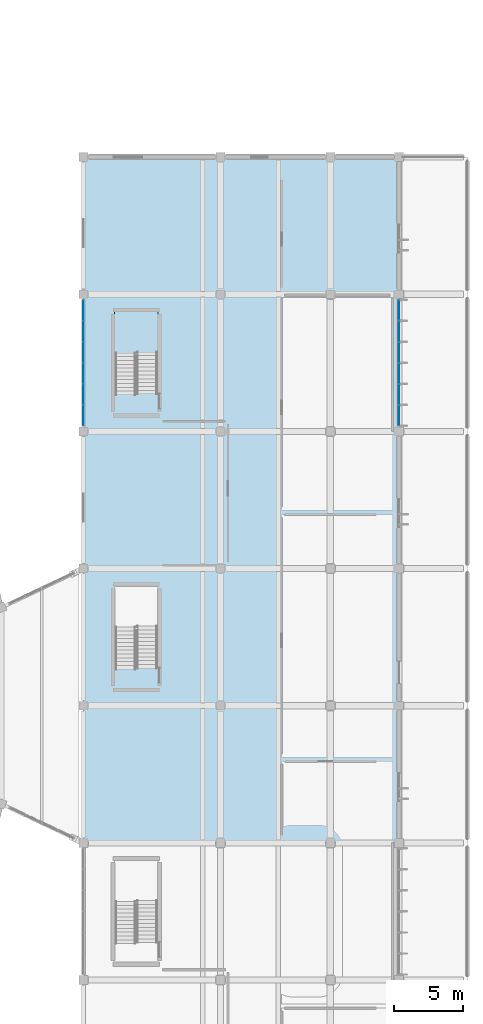
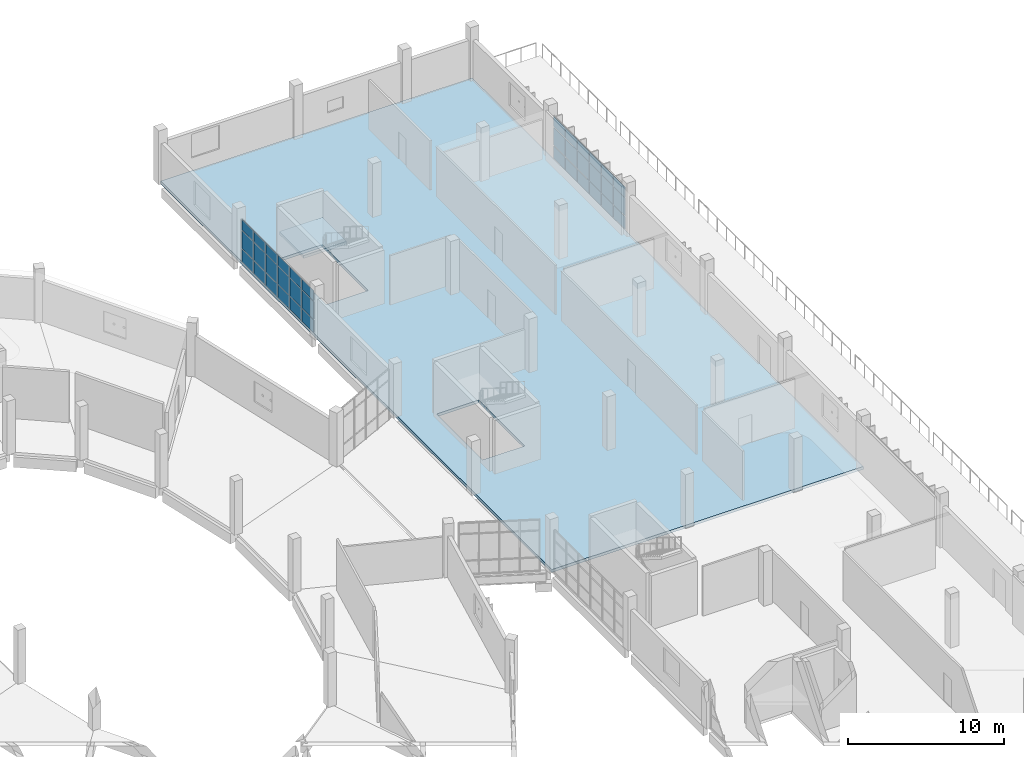
# One storey, part 91 of 142: 36 plates, 2 slabs, 3 elements without a shape of their own.
"""IFC4 building model written with IfcOpenShell, lengths in metres."""

from ifc_helpers import new_model, si_unit, direction, frame, origin, origin_2d, place, context, subcontext, project, spatial, polyline, rectangle, outline, extrude, material, layer, layer_set, type_object, element, aggregate, save


model = new_model("IFC4")

# Units and contexts
model_context = context("Model", 3, precision=1e-05, world=origin(), true_north=direction((0.0, 1.0)))
body_context = subcontext(model_context, "Body", "Model", "MODEL_VIEW")
ifc_project = project(units=[si_unit("LENGTHUNIT", "METRE"), si_unit("AREAUNIT", "SQUARE_METRE"), si_unit("VOLUMEUNIT", "CUBIC_METRE"), si_unit("PLANEANGLEUNIT", "RADIAN"), si_unit("MASSUNIT", "GRAM", prefix="KILO")], contexts=[model_context])

# Site, building, storey
site_placement = place(None, origin())
site = spatial("IfcSite", under=ifc_project, at=site_placement, CompositionType="ELEMENT")
building_placement = place(site_placement, origin())
building = spatial("IfcBuilding", under=site, at=building_placement, Name="Corvandel Quay Wholesale Market", CompositionType="ELEMENT")
storey_placement = place(building_placement, frame((0.0, 0.0, 10.800048828125)))
storey = spatial("IfcBuildingStorey", under=building, at=storey_placement, Name="L02", CompositionType="ELEMENT", Elevation=10.800048828125)

# Curtain wall, plates
ifc_material_1 = material(Name="Bronze anodised aluminium and low-E insulated glazing", Category="aluminium")
ifc_layer_1 = layer(ifc_material_1, 0.14990234375)
ifc_layer_set_1 = layer_set([ifc_layer_1], Name="Bronze anodised aluminium and low-E insulated glazing")
curtain_wall_type_1 = type_object("IfcCurtainWallType", Name="Stick Curtain Wall System CW20 H4800", PredefinedType="NOTDEFINED", material=ifc_layer_set_1)
curtain_wall_1_placement = place(storey_placement, origin())
curtain_wall_1 = element("IfcCurtainWall", 1, at=curtain_wall_1_placement, inside=storey, type_object=curtain_wall_type_1, Name="Curtain Wall CW-0160", PredefinedType="NOTDEFINED")
ifc_material_2 = material(Name="Solar-control low-E insulated glazing", Category="glass")
ifc_layer_2 = layer(ifc_material_2, 0.0400390625)
ifc_layer_set_2 = layer_set([ifc_layer_2], Name="Solar-control low-E insulated glazing")
plate_type_1 = type_object("IfcPlateType", Name="Ceramic Fritted Spandrel Panel PN03 40mm", PredefinedType="CURTAIN_PANEL", material=ifc_layer_set_2)
plate_1_placement = place(storey_placement, frame((243.0, 81.166748046875, 2.530029296875), z_axis=(0.0, 0.0, 1.0), x_axis=(0.0, 1.0, 0.0)))
plate_1 = element("IfcPlate", 2, at=plate_1_placement, type_object=plate_type_1, Name="Glazing Panel CW-0160-P00-2", PredefinedType="CURTAIN_PANEL", context=body_context, shape_type="SweptSolid", body=[
    extrude(rectangle(XDim=1.46826171875, YDim=0.0400390625, at=origin_2d()), origin(), (0.0, 0.0, 1.0), 0.7900390625),
])
plate_2_placement = place(storey_placement, frame((243.0, 82.699951171875, 2.530029296875), z_axis=(0.0, 0.0, 1.0), x_axis=(0.0, 1.0, 0.0)))
plate_2 = element("IfcPlate", 3, at=plate_2_placement, type_object=plate_type_1, Name="Glazing Panel CW-0160-P01-2", PredefinedType="CURTAIN_PANEL", context=body_context, shape_type="SweptSolid", body=[
    extrude(rectangle(XDim=1.46826171875, YDim=0.0400390625, at=origin_2d()), origin(), (0.0, 0.0, 1.0), 0.7900390625),
])
plate_3_placement = place(storey_placement, frame((243.0, 84.2333984375, 2.530029296875), z_axis=(0.0, 0.0, 1.0), x_axis=(0.0, 1.0, 0.0)))
plate_3 = element("IfcPlate", 4, at=plate_3_placement, type_object=plate_type_1, Name="Glazing Panel CW-0160-P02-2", PredefinedType="CURTAIN_PANEL", context=body_context, shape_type="SweptSolid", body=[
    extrude(rectangle(XDim=1.46826171875, YDim=0.0400390625, at=origin_2d()), origin(), (0.0, 0.0, 1.0), 0.7900390625),
])
plate_4_placement = place(storey_placement, frame((243.0, 85.7666015625, 2.530029296875), z_axis=(0.0, 0.0, 1.0), x_axis=(0.0, 1.0, 0.0)))
plate_4 = element("IfcPlate", 5, at=plate_4_placement, type_object=plate_type_1, Name="Glazing Panel CW-0160-P03-2", PredefinedType="CURTAIN_PANEL", context=body_context, shape_type="SweptSolid", body=[
    extrude(rectangle(XDim=1.46826171875, YDim=0.0400390625, at=origin_2d()), origin(), (0.0, 0.0, 1.0), 0.7900390625),
])
plate_5_placement = place(storey_placement, frame((243.0, 87.300048828125, 2.530029296875), z_axis=(0.0, 0.0, 1.0), x_axis=(0.0, 1.0, 0.0)))
plate_5 = element("IfcPlate", 6, at=plate_5_placement, type_object=plate_type_1, Name="Glazing Panel CW-0160-P04-2", PredefinedType="CURTAIN_PANEL", context=body_context, shape_type="SweptSolid", body=[
    extrude(rectangle(XDim=1.46826171875, YDim=0.0400390625, at=origin_2d()), origin(), (0.0, 0.0, 1.0), 0.7900390625),
])
plate_6_placement = place(storey_placement, frame((243.0, 88.833251953125, 2.530029296875), z_axis=(0.0, 0.0, 1.0), x_axis=(0.0, 1.0, 0.0)))
plate_6 = element("IfcPlate", 7, at=plate_6_placement, type_object=plate_type_1, Name="Glazing Panel CW-0160-P05-2", PredefinedType="CURTAIN_PANEL", context=body_context, shape_type="SweptSolid", body=[
    extrude(rectangle(XDim=1.46826171875, YDim=0.0400390625, at=origin_2d()), origin(), (0.0, 0.0, 1.0), 0.7900390625),
])

ifc_layer_3 = layer(ifc_material_1, 0.162109375)
ifc_layer_set_3 = layer_set([ifc_layer_3], Name="Bronze anodised aluminium and low-E insulated glazing")
curtain_wall_type_2 = type_object("IfcCurtainWallType", Name="Stick Curtain Wall System CW26 H5340", PredefinedType="NOTDEFINED", material=ifc_layer_set_3)
curtain_wall_2_placement = place(storey_placement, origin())
curtain_wall_2 = element("IfcCurtainWall", 8, at=curtain_wall_2_placement, inside=storey, type_object=curtain_wall_type_2, Name="Curtain Wall CW-0161", PredefinedType="NOTDEFINED")
plate_7_placement = place(storey_placement, frame((220.0, 81.166748046875, 2.530029296875), z_axis=(0.0, 0.0, 1.0), x_axis=(0.0, 1.0, 0.0)))
plate_7 = element("IfcPlate", 9, at=plate_7_placement, type_object=plate_type_1, Name="Glazing Panel CW-0161-P00-2", PredefinedType="CURTAIN_PANEL", context=body_context, shape_type="SweptSolid", body=[
    extrude(rectangle(XDim=1.46826171875, YDim=0.0400390625, at=origin_2d()), origin(), (0.0, 0.0, 1.0), 0.7900390625),
])
plate_8_placement = place(storey_placement, frame((220.0, 82.699951171875, 2.530029296875), z_axis=(0.0, 0.0, 1.0), x_axis=(0.0, 1.0, 0.0)))
plate_8 = element("IfcPlate", 10, at=plate_8_placement, type_object=plate_type_1, Name="Glazing Panel CW-0161-P01-2", PredefinedType="CURTAIN_PANEL", context=body_context, shape_type="SweptSolid", body=[
    extrude(rectangle(XDim=1.46826171875, YDim=0.0400390625, at=origin_2d()), origin(), (0.0, 0.0, 1.0), 0.7900390625),
])
plate_9_placement = place(storey_placement, frame((220.0, 84.2333984375, 2.530029296875), z_axis=(0.0, 0.0, 1.0), x_axis=(0.0, 1.0, 0.0)))
plate_9 = element("IfcPlate", 11, at=plate_9_placement, type_object=plate_type_1, Name="Glazing Panel CW-0161-P02-2", PredefinedType="CURTAIN_PANEL", context=body_context, shape_type="SweptSolid", body=[
    extrude(rectangle(XDim=1.46826171875, YDim=0.0400390625, at=origin_2d()), origin(), (0.0, 0.0, 1.0), 0.7900390625),
])
plate_10_placement = place(storey_placement, frame((220.0, 85.7666015625, 2.530029296875), z_axis=(0.0, 0.0, 1.0), x_axis=(0.0, 1.0, 0.0)))
plate_10 = element("IfcPlate", 12, at=plate_10_placement, type_object=plate_type_1, Name="Glazing Panel CW-0161-P03-2", PredefinedType="CURTAIN_PANEL", context=body_context, shape_type="SweptSolid", body=[
    extrude(rectangle(XDim=1.46826171875, YDim=0.0400390625, at=origin_2d()), origin(), (0.0, 0.0, 1.0), 0.7900390625),
])
plate_11_placement = place(storey_placement, frame((220.0, 87.300048828125, 2.530029296875), z_axis=(0.0, 0.0, 1.0), x_axis=(0.0, 1.0, 0.0)))
plate_11 = element("IfcPlate", 13, at=plate_11_placement, type_object=plate_type_1, Name="Glazing Panel CW-0161-P04-2", PredefinedType="CURTAIN_PANEL", context=body_context, shape_type="SweptSolid", body=[
    extrude(rectangle(XDim=1.46826171875, YDim=0.0400390625, at=origin_2d()), origin(), (0.0, 0.0, 1.0), 0.7900390625),
])
plate_12_placement = place(storey_placement, frame((220.0, 88.833251953125, 2.530029296875), z_axis=(0.0, 0.0, 1.0), x_axis=(0.0, 1.0, 0.0)))
plate_12 = element("IfcPlate", 14, at=plate_12_placement, type_object=plate_type_1, Name="Glazing Panel CW-0161-P05-2", PredefinedType="CURTAIN_PANEL", context=body_context, shape_type="SweptSolid", body=[
    extrude(rectangle(XDim=1.46826171875, YDim=0.0400390625, at=origin_2d()), origin(), (0.0, 0.0, 1.0), 0.7900390625),
])

# Slab
ifc_material_3 = material(Name="Precast concrete C45/55", Category="concrete")
ifc_layer_4 = layer(ifc_material_3, 0.219970703125)
ifc_layer_set_4 = layer_set([ifc_layer_4], Name="Precast concrete C45/55")
slab_type_1 = type_object("IfcSlabType", Name="Composite Precast Office Floor Slab 220", PredefinedType="FLOOR", material=ifc_layer_set_4)
slab_1_placement = place(storey_placement, frame((0.0, 0.0, -0.219970703125)))
element("IfcSlab", 15, at=slab_1_placement, inside=storey, type_object=slab_type_1, Name="Slab SLB-0467", PredefinedType="FLOOR", context=body_context, shape_type="SweptSolid", body=[
    extrude(outline(polyline([(220.0, 100.0), (243.0, 100.0), (243.0, 50.0), (220.0, 50.0), (220.0, 100.0)]), holes=[polyline([(225.39990234375, 62.800048828125), (225.39990234375, 68.699951171875), (222.300048828125, 68.699951171875), (222.300048828125, 62.800048828125), (225.39990234375, 62.800048828125)]), polyline([(225.39990234375, 82.800048828125), (225.39990234375, 88.699951171875), (222.300048828125, 88.699951171875), (222.300048828125, 82.800048828125), (225.39990234375, 82.800048828125)])]), origin(), (0.0, 0.0, 1.0), 0.219970703125),
])

# Plate
ifc_layer_5 = layer(ifc_material_2, 0.028076171875)
ifc_layer_set_5 = layer_set([ifc_layer_5], Name="Solar-control low-E insulated glazing")
plate_type_2 = type_object("IfcPlateType", Name="Double Low-E Vision Panel PN01 28mm", PredefinedType="CURTAIN_PANEL", material=ifc_layer_set_5)
plate_13_placement = place(storey_placement, frame((243.0, 81.166748046875, 0.02978515625), z_axis=(0.0, 0.0, 1.0), x_axis=(0.0, 1.0, 0.0)))
plate_13 = element("IfcPlate", 16, at=plate_13_placement, type_object=plate_type_2, Name="Glazing Panel CW-0160-P00-0", PredefinedType="CURTAIN_PANEL", context=body_context, shape_type="SweptSolid", body=[
    extrude(rectangle(XDim=1.46826171875, YDim=0.028076171875, at=origin_2d()), origin(), (0.0, 0.0, 1.0), 0.989990234375),
])

plate_14_placement = place(storey_placement, frame((243.0, 81.166748046875, 1.080078125), z_axis=(0.0, 0.0, 1.0), x_axis=(0.0, 1.0, 0.0)))
plate_14 = element("IfcPlate", 17, at=plate_14_placement, type_object=plate_type_2, Name="Glazing Panel CW-0160-P00-1", PredefinedType="CURTAIN_PANEL", context=body_context, shape_type="SweptSolid", body=[
    extrude(rectangle(XDim=1.46826171875, YDim=0.028076171875, at=origin_2d()), origin(), (0.0, 0.0, 1.0), 1.389892578125),
])

plate_15_placement = place(storey_placement, frame((243.0, 82.699951171875, 0.02978515625), z_axis=(0.0, 0.0, 1.0), x_axis=(0.0, 1.0, 0.0)))
plate_15 = element("IfcPlate", 18, at=plate_15_placement, type_object=plate_type_2, Name="Glazing Panel CW-0160-P01-0", PredefinedType="CURTAIN_PANEL", context=body_context, shape_type="SweptSolid", body=[
    extrude(rectangle(XDim=1.46826171875, YDim=0.028076171875, at=origin_2d()), origin(), (0.0, 0.0, 1.0), 0.989990234375),
])

plate_16_placement = place(storey_placement, frame((243.0, 82.699951171875, 1.080078125), z_axis=(0.0, 0.0, 1.0), x_axis=(0.0, 1.0, 0.0)))
plate_16 = element("IfcPlate", 19, at=plate_16_placement, type_object=plate_type_2, Name="Glazing Panel CW-0160-P01-1", PredefinedType="CURTAIN_PANEL", context=body_context, shape_type="SweptSolid", body=[
    extrude(rectangle(XDim=1.46826171875, YDim=0.028076171875, at=origin_2d()), origin(), (0.0, 0.0, 1.0), 1.389892578125),
])

plate_17_placement = place(storey_placement, frame((243.0, 84.2333984375, 0.02978515625), z_axis=(0.0, 0.0, 1.0), x_axis=(0.0, 1.0, 0.0)))
plate_17 = element("IfcPlate", 20, at=plate_17_placement, type_object=plate_type_2, Name="Glazing Panel CW-0160-P02-0", PredefinedType="CURTAIN_PANEL", context=body_context, shape_type="SweptSolid", body=[
    extrude(rectangle(XDim=1.46826171875, YDim=0.028076171875, at=origin_2d()), origin(), (0.0, 0.0, 1.0), 0.989990234375),
])

plate_18_placement = place(storey_placement, frame((243.0, 84.2333984375, 1.080078125), z_axis=(0.0, 0.0, 1.0), x_axis=(0.0, 1.0, 0.0)))
plate_18 = element("IfcPlate", 21, at=plate_18_placement, type_object=plate_type_2, Name="Glazing Panel CW-0160-P02-1", PredefinedType="CURTAIN_PANEL", context=body_context, shape_type="SweptSolid", body=[
    extrude(rectangle(XDim=1.46826171875, YDim=0.028076171875, at=origin_2d()), origin(), (0.0, 0.0, 1.0), 1.389892578125),
])

plate_19_placement = place(storey_placement, frame((243.0, 85.7666015625, 0.02978515625), z_axis=(0.0, 0.0, 1.0), x_axis=(0.0, 1.0, 0.0)))
plate_19 = element("IfcPlate", 22, at=plate_19_placement, type_object=plate_type_2, Name="Glazing Panel CW-0160-P03-0", PredefinedType="CURTAIN_PANEL", context=body_context, shape_type="SweptSolid", body=[
    extrude(rectangle(XDim=1.46826171875, YDim=0.028076171875, at=origin_2d()), origin(), (0.0, 0.0, 1.0), 0.989990234375),
])

plate_20_placement = place(storey_placement, frame((243.0, 85.7666015625, 1.080078125), z_axis=(0.0, 0.0, 1.0), x_axis=(0.0, 1.0, 0.0)))
plate_20 = element("IfcPlate", 23, at=plate_20_placement, type_object=plate_type_2, Name="Glazing Panel CW-0160-P03-1", PredefinedType="CURTAIN_PANEL", context=body_context, shape_type="SweptSolid", body=[
    extrude(rectangle(XDim=1.46826171875, YDim=0.028076171875, at=origin_2d()), origin(), (0.0, 0.0, 1.0), 1.389892578125),
])

plate_21_placement = place(storey_placement, frame((243.0, 87.300048828125, 0.02978515625), z_axis=(0.0, 0.0, 1.0), x_axis=(0.0, 1.0, 0.0)))
plate_21 = element("IfcPlate", 24, at=plate_21_placement, type_object=plate_type_2, Name="Glazing Panel CW-0160-P04-0", PredefinedType="CURTAIN_PANEL", context=body_context, shape_type="SweptSolid", body=[
    extrude(rectangle(XDim=1.46826171875, YDim=0.028076171875, at=origin_2d()), origin(), (0.0, 0.0, 1.0), 0.989990234375),
])

plate_22_placement = place(storey_placement, frame((243.0, 87.300048828125, 1.080078125), z_axis=(0.0, 0.0, 1.0), x_axis=(0.0, 1.0, 0.0)))
plate_22 = element("IfcPlate", 25, at=plate_22_placement, type_object=plate_type_2, Name="Glazing Panel CW-0160-P04-1", PredefinedType="CURTAIN_PANEL", context=body_context, shape_type="SweptSolid", body=[
    extrude(rectangle(XDim=1.46826171875, YDim=0.028076171875, at=origin_2d()), origin(), (0.0, 0.0, 1.0), 1.389892578125),
])

plate_23_placement = place(storey_placement, frame((243.0, 88.833251953125, 0.02978515625), z_axis=(0.0, 0.0, 1.0), x_axis=(0.0, 1.0, 0.0)))
plate_23 = element("IfcPlate", 26, at=plate_23_placement, type_object=plate_type_2, Name="Glazing Panel CW-0160-P05-0", PredefinedType="CURTAIN_PANEL", context=body_context, shape_type="SweptSolid", body=[
    extrude(rectangle(XDim=1.46826171875, YDim=0.028076171875, at=origin_2d()), origin(), (0.0, 0.0, 1.0), 0.989990234375),
])

plate_24_placement = place(storey_placement, frame((243.0, 88.833251953125, 1.080078125), z_axis=(0.0, 0.0, 1.0), x_axis=(0.0, 1.0, 0.0)))
plate_24 = element("IfcPlate", 27, at=plate_24_placement, type_object=plate_type_2, Name="Glazing Panel CW-0160-P05-1", PredefinedType="CURTAIN_PANEL", context=body_context, shape_type="SweptSolid", body=[
    extrude(rectangle(XDim=1.46826171875, YDim=0.028076171875, at=origin_2d()), origin(), (0.0, 0.0, 1.0), 1.389892578125),
])

aggregate(curtain_wall_1, [plate_13, plate_14, plate_1, plate_15, plate_16, plate_2, plate_17, plate_18, plate_3, plate_19, plate_20, plate_4, plate_21, plate_22, plate_5, plate_23, plate_24, plate_6])

plate_25_placement = place(storey_placement, frame((220.0, 81.166748046875, 0.02978515625), z_axis=(0.0, 0.0, 1.0), x_axis=(0.0, 1.0, 0.0)))
plate_25 = element("IfcPlate", 28, at=plate_25_placement, type_object=plate_type_2, Name="Glazing Panel CW-0161-P00-0", PredefinedType="CURTAIN_PANEL", context=body_context, shape_type="SweptSolid", body=[
    extrude(rectangle(XDim=1.46826171875, YDim=0.028076171875, at=origin_2d()), origin(), (0.0, 0.0, 1.0), 0.989990234375),
])

plate_26_placement = place(storey_placement, frame((220.0, 81.166748046875, 1.080078125), z_axis=(0.0, 0.0, 1.0), x_axis=(0.0, 1.0, 0.0)))
plate_26 = element("IfcPlate", 29, at=plate_26_placement, type_object=plate_type_2, Name="Glazing Panel CW-0161-P00-1", PredefinedType="CURTAIN_PANEL", context=body_context, shape_type="SweptSolid", body=[
    extrude(rectangle(XDim=1.46826171875, YDim=0.028076171875, at=origin_2d()), origin(), (0.0, 0.0, 1.0), 1.389892578125),
])

plate_27_placement = place(storey_placement, frame((220.0, 82.699951171875, 0.02978515625), z_axis=(0.0, 0.0, 1.0), x_axis=(0.0, 1.0, 0.0)))
plate_27 = element("IfcPlate", 30, at=plate_27_placement, type_object=plate_type_2, Name="Glazing Panel CW-0161-P01-0", PredefinedType="CURTAIN_PANEL", context=body_context, shape_type="SweptSolid", body=[
    extrude(rectangle(XDim=1.46826171875, YDim=0.028076171875, at=origin_2d()), origin(), (0.0, 0.0, 1.0), 0.989990234375),
])

plate_28_placement = place(storey_placement, frame((220.0, 82.699951171875, 1.080078125), z_axis=(0.0, 0.0, 1.0), x_axis=(0.0, 1.0, 0.0)))
plate_28 = element("IfcPlate", 31, at=plate_28_placement, type_object=plate_type_2, Name="Glazing Panel CW-0161-P01-1", PredefinedType="CURTAIN_PANEL", context=body_context, shape_type="SweptSolid", body=[
    extrude(rectangle(XDim=1.46826171875, YDim=0.028076171875, at=origin_2d()), origin(), (0.0, 0.0, 1.0), 1.389892578125),
])

plate_29_placement = place(storey_placement, frame((220.0, 84.2333984375, 0.02978515625), z_axis=(0.0, 0.0, 1.0), x_axis=(0.0, 1.0, 0.0)))
plate_29 = element("IfcPlate", 32, at=plate_29_placement, type_object=plate_type_2, Name="Glazing Panel CW-0161-P02-0", PredefinedType="CURTAIN_PANEL", context=body_context, shape_type="SweptSolid", body=[
    extrude(rectangle(XDim=1.46826171875, YDim=0.028076171875, at=origin_2d()), origin(), (0.0, 0.0, 1.0), 0.989990234375),
])

plate_30_placement = place(storey_placement, frame((220.0, 84.2333984375, 1.080078125), z_axis=(0.0, 0.0, 1.0), x_axis=(0.0, 1.0, 0.0)))
plate_30 = element("IfcPlate", 33, at=plate_30_placement, type_object=plate_type_2, Name="Glazing Panel CW-0161-P02-1", PredefinedType="CURTAIN_PANEL", context=body_context, shape_type="SweptSolid", body=[
    extrude(rectangle(XDim=1.46826171875, YDim=0.028076171875, at=origin_2d()), origin(), (0.0, 0.0, 1.0), 1.389892578125),
])

plate_31_placement = place(storey_placement, frame((220.0, 85.7666015625, 0.02978515625), z_axis=(0.0, 0.0, 1.0), x_axis=(0.0, 1.0, 0.0)))
plate_31 = element("IfcPlate", 34, at=plate_31_placement, type_object=plate_type_2, Name="Glazing Panel CW-0161-P03-0", PredefinedType="CURTAIN_PANEL", context=body_context, shape_type="SweptSolid", body=[
    extrude(rectangle(XDim=1.46826171875, YDim=0.028076171875, at=origin_2d()), origin(), (0.0, 0.0, 1.0), 0.989990234375),
])

plate_32_placement = place(storey_placement, frame((220.0, 85.7666015625, 1.080078125), z_axis=(0.0, 0.0, 1.0), x_axis=(0.0, 1.0, 0.0)))
plate_32 = element("IfcPlate", 35, at=plate_32_placement, type_object=plate_type_2, Name="Glazing Panel CW-0161-P03-1", PredefinedType="CURTAIN_PANEL", context=body_context, shape_type="SweptSolid", body=[
    extrude(rectangle(XDim=1.46826171875, YDim=0.028076171875, at=origin_2d()), origin(), (0.0, 0.0, 1.0), 1.389892578125),
])

plate_33_placement = place(storey_placement, frame((220.0, 87.300048828125, 0.02978515625), z_axis=(0.0, 0.0, 1.0), x_axis=(0.0, 1.0, 0.0)))
plate_33 = element("IfcPlate", 36, at=plate_33_placement, type_object=plate_type_2, Name="Glazing Panel CW-0161-P04-0", PredefinedType="CURTAIN_PANEL", context=body_context, shape_type="SweptSolid", body=[
    extrude(rectangle(XDim=1.46826171875, YDim=0.028076171875, at=origin_2d()), origin(), (0.0, 0.0, 1.0), 0.989990234375),
])

plate_34_placement = place(storey_placement, frame((220.0, 87.300048828125, 1.080078125), z_axis=(0.0, 0.0, 1.0), x_axis=(0.0, 1.0, 0.0)))
plate_34 = element("IfcPlate", 37, at=plate_34_placement, type_object=plate_type_2, Name="Glazing Panel CW-0161-P04-1", PredefinedType="CURTAIN_PANEL", context=body_context, shape_type="SweptSolid", body=[
    extrude(rectangle(XDim=1.46826171875, YDim=0.028076171875, at=origin_2d()), origin(), (0.0, 0.0, 1.0), 1.389892578125),
])

plate_35_placement = place(storey_placement, frame((220.0, 88.833251953125, 0.02978515625), z_axis=(0.0, 0.0, 1.0), x_axis=(0.0, 1.0, 0.0)))
plate_35 = element("IfcPlate", 38, at=plate_35_placement, type_object=plate_type_2, Name="Glazing Panel CW-0161-P05-0", PredefinedType="CURTAIN_PANEL", context=body_context, shape_type="SweptSolid", body=[
    extrude(rectangle(XDim=1.46826171875, YDim=0.028076171875, at=origin_2d()), origin(), (0.0, 0.0, 1.0), 0.989990234375),
])

plate_36_placement = place(storey_placement, frame((220.0, 88.833251953125, 1.080078125), z_axis=(0.0, 0.0, 1.0), x_axis=(0.0, 1.0, 0.0)))
plate_36 = element("IfcPlate", 39, at=plate_36_placement, type_object=plate_type_2, Name="Glazing Panel CW-0161-P05-1", PredefinedType="CURTAIN_PANEL", context=body_context, shape_type="SweptSolid", body=[
    extrude(rectangle(XDim=1.46826171875, YDim=0.028076171875, at=origin_2d()), origin(), (0.0, 0.0, 1.0), 1.389892578125),
])

aggregate(curtain_wall_2, [plate_25, plate_26, plate_7, plate_27, plate_28, plate_8, plate_29, plate_30, plate_9, plate_31, plate_32, plate_10, plate_33, plate_34, plate_11, plate_35, plate_36, plate_12])

# Stair, slab
ifc_material_4 = material(Name="Concrete C40/50", Category="concrete")
stair_type = type_object("IfcStairType", Name="Exit Stair Two-Return L02-L03 ST03", PredefinedType="USERDEFINED", material=ifc_material_4)
stair_placement = place(storey_placement, origin())
stair = element("IfcStair", 40, at=stair_placement, inside=storey, type_object=stair_type, Name="Exit Stair STR-040", ObjectType="TWO_RETURN_STAIR", PredefinedType="USERDEFINED")
ifc_layer_6 = layer(ifc_material_4, 0.219970703125)
ifc_layer_set_6 = layer_set([ifc_layer_6], Name="Concrete C40/50")
slab_type_2 = type_object("IfcSlabType", Name="Precast Stair Landing LND03 220", PredefinedType="LANDING", material=ifc_layer_set_6)
slab_2_placement = place(storey_placement, frame((0.0, 0.0, 1.8798828125)))
slab_2 = element("IfcSlab", 41, at=slab_2_placement, type_object=slab_type_2, Name="Stair Landing STR-040-LND", PredefinedType="LANDING", context=body_context, shape_type="SweptSolid", body=[
    extrude(outline(polyline([(222.260009765625, 85.6298828125), (225.43994140625, 85.6298828125), (225.43994140625, 88.739990234375), (222.260009765625, 88.739990234375), (222.260009765625, 85.6298828125)])), origin(), (0.0, 0.0, 1.0), 0.219970703125),
])
aggregate(stair, [slab_2])

save(model, "model.ifc")
